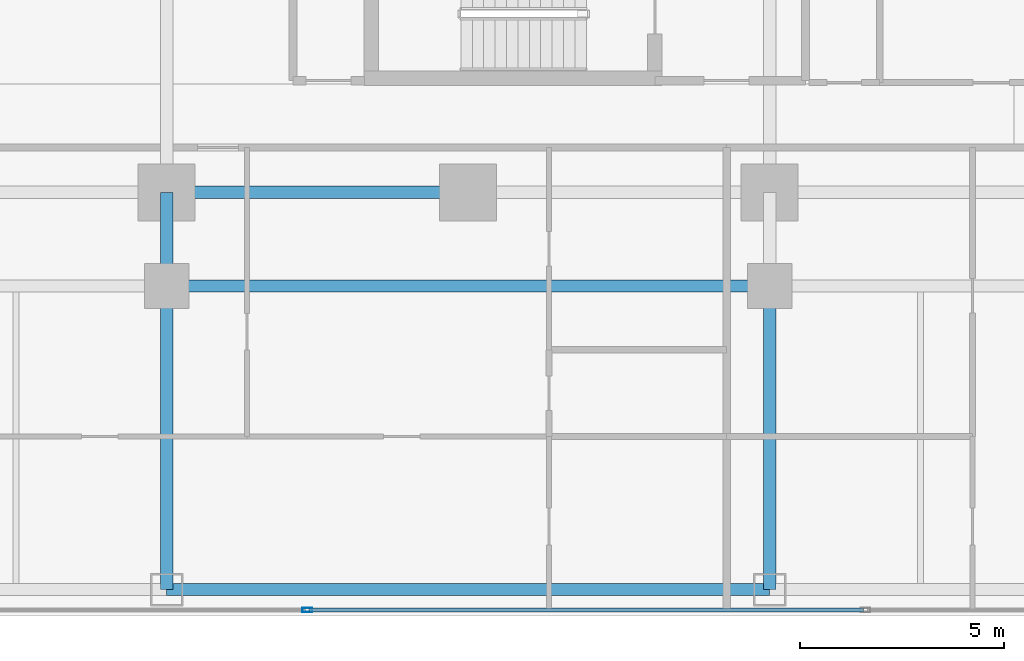
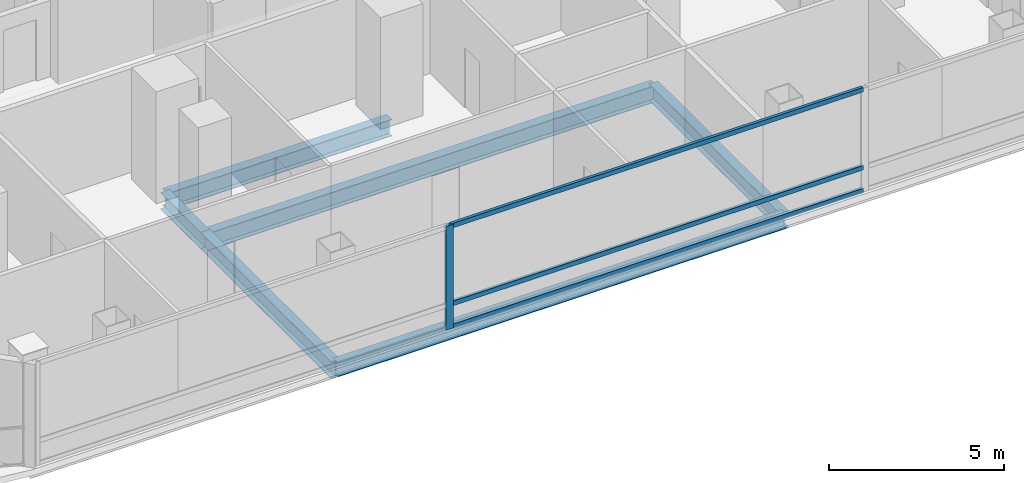
# One storey, part 4 of 27: 6 beams, 4 members, 1 element without a shape of its own.
"""IFC4 building model written with IfcOpenShell, lengths in metres."""

from ifc_helpers import new_model, si_unit, direction, frame, origin, origin_2d, place, context, subcontext, project, spatial, hollow_rectangle, i_section, extrude, material, layer, layer_set, material_profile, profile_set, type_object, element, aggregate, save


model = new_model("IFC4")

# Units and contexts
model_context = context("Model", 3, precision=1e-05, world=origin(), true_north=direction((0.0, 1.0)))
body_context = subcontext(model_context, "Body", "Model", "MODEL_VIEW")
ifc_project = project(units=[si_unit("LENGTHUNIT", "METRE"), si_unit("AREAUNIT", "SQUARE_METRE"), si_unit("VOLUMEUNIT", "CUBIC_METRE"), si_unit("PLANEANGLEUNIT", "RADIAN"), si_unit("MASSUNIT", "GRAM", prefix="KILO")], contexts=[model_context])

# Site, building, storey
site_placement = place(None, origin())
site = spatial("IfcSite", under=ifc_project, at=site_placement, CompositionType="ELEMENT")
building_placement = place(site_placement, origin())
building = spatial("IfcBuilding", under=site, at=building_placement, Name="Khorvyn Point Tower", CompositionType="ELEMENT")
storey_placement = place(building_placement, frame((0.0, 0.0, 50.10009765625)))
storey = spatial("IfcBuildingStorey", under=building, at=storey_placement, Name="L13", CompositionType="ELEMENT", Elevation=50.10009765625)

# Curtain wall, members
ifc_material_1 = material(Name="Anodised aluminium 6063-T6 and laminated Low-E glass", Category="aluminium")
ifc_layer = layer(ifc_material_1, 0.18994140625)
ifc_layer_set = layer_set([ifc_layer], Name="Stick-Built Finned Residential Curtain Wall CW-SYS-02")
curtain_wall_type = type_object("IfcCurtainWallType", Name="Stick-Built Finned Residential Curtain Wall CW-SYS-02", PredefinedType="NOTDEFINED", material=ifc_layer_set)
curtain_wall_placement = place(storey_placement, origin())
curtain_wall = element("IfcCurtainWall", 1, at=curtain_wall_placement, inside=storey, type_object=curtain_wall_type, Name="Curtain Wall", PredefinedType="NOTDEFINED")
ifc_material_2 = material(Name="Anodised aluminium 6063-T6", Category="aluminium")
ifc_material_profile_1 = material_profile(ifc_material_2, hollow_rectangle(XDim=0.10009765625, YDim=0.239990234375, WallThickness=0.0048828125, at=origin_2d()))
ifc_profile_set_1 = profile_set([ifc_material_profile_1], Name="Anodised aluminium 6063-T6 ALU-MUL-100x240")
member_type_1 = type_object("IfcMemberType", Name="Anodised Aluminium 6063-T6 Mullion ALU-MUL-100x240", PredefinedType="MULLION", material=ifc_profile_set_1)
member_1_placement = place(storey_placement, frame((-3.949951171875, -25.050048828125, 0.0), z_axis=(0.0, 0.0, 1.0), x_axis=(0.0, -1.0, 0.0)))
member_1 = element("IfcMember", 2, at=member_1_placement, type_object=member_type_1, Name="Transom", PredefinedType="MULLION", context=body_context, shape_type="SweptSolid", body=[
    extrude(hollow_rectangle(XDim=0.10009765625, YDim=0.239990234375, WallThickness=0.0048828125, at=origin_2d()), origin(), (0.0, 0.0, 1.0), 3.619873046875),
])
ifc_material_profile_2 = material_profile(ifc_material_2, hollow_rectangle(XDim=0.10009765625, YDim=0.159912109375, WallThickness=0.00439453125, at=origin_2d()))
ifc_profile_set_2 = profile_set([ifc_material_profile_2], Name="Anodised aluminium 6063-T6 ALU-TRN-100x160")
member_type_2 = type_object("IfcMemberType", Name="Anodised Aluminium 6063-T6 Transom ALU-TRN-100x160", PredefinedType="USERDEFINED", material=ifc_profile_set_2)
member_2_placement = place(storey_placement, frame((9.699951171875, -25.050048828125, 0.0498046875), z_axis=(-1.0, 0.0, 0.0), x_axis=(0.0, -1.0, 0.0)))
member_2 = element("IfcMember", 3, at=member_2_placement, type_object=member_type_2, Name="Transom", ObjectType="TRANSOM", PredefinedType="USERDEFINED", context=body_context, shape_type="SweptSolid", body=[
    extrude(hollow_rectangle(XDim=0.10009765625, YDim=0.159912109375, WallThickness=0.00439453125, at=origin_2d()), origin(), (0.0, 0.0, 1.0), 13.599853515625),
])
member_3_placement = place(storey_placement, frame((9.699951171875, -25.050048828125, 0.849853515625), z_axis=(-1.0, 0.0, 0.0), x_axis=(0.0, -1.0, 0.0)))
member_3 = element("IfcMember", 4, at=member_3_placement, type_object=member_type_2, Name="Transom", ObjectType="TRANSOM", PredefinedType="USERDEFINED", context=body_context, shape_type="SweptSolid", body=[
    extrude(hollow_rectangle(XDim=0.10009765625, YDim=0.159912109375, WallThickness=0.00439453125, at=origin_2d()), origin(), (0.0, 0.0, 1.0), 13.599853515625),
])
member_4_placement = place(storey_placement, frame((9.699951171875, -25.050048828125, 3.56982421875), z_axis=(-1.0, 0.0, 0.0), x_axis=(0.0, -1.0, 0.0)))
member_4 = element("IfcMember", 5, at=member_4_placement, type_object=member_type_2, Name="Transom", ObjectType="TRANSOM", PredefinedType="USERDEFINED", context=body_context, shape_type="SweptSolid", body=[
    extrude(hollow_rectangle(XDim=0.10009765625, YDim=0.159912109375, WallThickness=0.00439453125, at=origin_2d()), origin(), (0.0, 0.0, 1.0), 13.599853515625),
])
aggregate(curtain_wall, [member_1, member_2, member_3, member_4])

# Beams
ifc_material_3 = material(Name="Steel S355", Category="steel")
ifc_material_profile_3 = material_profile(ifc_material_3, i_section(OverallWidth=0.300048828125, OverallDepth=0.587890625, WebThickness=0.011962890625, FlangeThickness=0.02001953125, at=origin_2d()))
ifc_profile_set_3 = profile_set([ifc_material_profile_3], Name="Steel S355 H588x300x12x20")
beam_type_1 = type_object("IfcBeamType", Name="Steel S355 Beam H588x300x12x20", PredefinedType="BEAM", material=ifc_profile_set_3)
beam_1_placement = place(storey_placement, frame((-7.39990234375, -14.800048828125, -0.51416015625), z_axis=(1.0, 0.0, 0.0), x_axis=(0.0, 1.0, 0.0)))
element("IfcBeam", 6, at=beam_1_placement, inside=storey, type_object=beam_type_1, Name="Beam", PredefinedType="BEAM", context=body_context, shape_type="SweptSolid", body=[
    extrude(i_section(OverallWidth=0.300048828125, OverallDepth=0.587890625, WebThickness=0.011962890625, FlangeThickness=0.02001953125, at=origin_2d()), origin(), (0.0, 0.0, 1.0), 7.39990234375),
])
beam_2_placement = place(storey_placement, frame((-7.39990234375, -17.10009765625, -0.51416015625), z_axis=(1.0, 0.0, 0.0), x_axis=(0.0, 1.0, 0.0)))
element("IfcBeam", 7, at=beam_2_placement, inside=storey, type_object=beam_type_1, Name="Beam", PredefinedType="BEAM", context=body_context, shape_type="SweptSolid", body=[
    extrude(i_section(OverallWidth=0.300048828125, OverallDepth=0.587890625, WebThickness=0.011962890625, FlangeThickness=0.02001953125, at=origin_2d()), origin(), (0.0, 0.0, 1.0), 14.7998046875),
])
beam_3_placement = place(storey_placement, frame((-7.39990234375, -24.550048828125, -0.51416015625), z_axis=(0.0, 1.0, 0.0), x_axis=(-1.0, 0.0, 0.0)))
element("IfcBeam", 8, at=beam_3_placement, inside=storey, type_object=beam_type_1, Name="Beam", PredefinedType="BEAM", context=body_context, shape_type="SweptSolid", body=[
    extrude(i_section(OverallWidth=0.300048828125, OverallDepth=0.587890625, WebThickness=0.011962890625, FlangeThickness=0.02001953125, at=origin_2d()), origin(), (0.0, 0.0, 1.0), 7.449951171875),
])
beam_4_placement = place(storey_placement, frame((-7.39990234375, -17.10009765625, -0.51416015625), z_axis=(0.0, 1.0, 0.0), x_axis=(-1.0, 0.0, 0.0)))
element("IfcBeam", 9, at=beam_4_placement, inside=storey, type_object=beam_type_1, Name="Beam", PredefinedType="BEAM", context=body_context, shape_type="SweptSolid", body=[
    extrude(i_section(OverallWidth=0.300048828125, OverallDepth=0.587890625, WebThickness=0.011962890625, FlangeThickness=0.02001953125, at=origin_2d()), origin(), (0.0, 0.0, 1.0), 2.300048828125),
])
beam_5_placement = place(storey_placement, frame((7.39990234375, -24.550048828125, -0.51416015625), z_axis=(0.0, 1.0, 0.0), x_axis=(-1.0, 0.0, 0.0)))
element("IfcBeam", 10, at=beam_5_placement, inside=storey, type_object=beam_type_1, Name="Beam", PredefinedType="BEAM", context=body_context, shape_type="SweptSolid", body=[
    extrude(i_section(OverallWidth=0.300048828125, OverallDepth=0.587890625, WebThickness=0.011962890625, FlangeThickness=0.02001953125, at=origin_2d()), origin(), (0.0, 0.0, 1.0), 7.449951171875),
])
ifc_material_profile_4 = material_profile(ifc_material_3, i_section(OverallWidth=0.300048828125, OverallDepth=0.488037109375, WebThickness=0.010986328125, FlangeThickness=0.01806640625, at=origin_2d()))
ifc_profile_set_4 = profile_set([ifc_material_profile_4], Name="Steel S355 H488x300x11x18")
beam_type_2 = type_object("IfcBeamType", Name="Steel S355 Spandrel H488x300x11x18", PredefinedType="SPANDREL", material=ifc_profile_set_4)
beam_6_placement = place(storey_placement, frame((-7.39990234375, -24.550048828125, -0.464111328125), z_axis=(1.0, 0.0, 0.0), x_axis=(0.0, 1.0, 0.0)))
element("IfcBeam", 11, at=beam_6_placement, inside=storey, type_object=beam_type_2, Name="Beam", PredefinedType="SPANDREL", context=body_context, shape_type="SweptSolid", body=[
    extrude(i_section(OverallWidth=0.300048828125, OverallDepth=0.488037109375, WebThickness=0.010986328125, FlangeThickness=0.01806640625, at=origin_2d()), origin(), (0.0, 0.0, 1.0), 14.7998046875),
])

save(model, "model.ifc")
